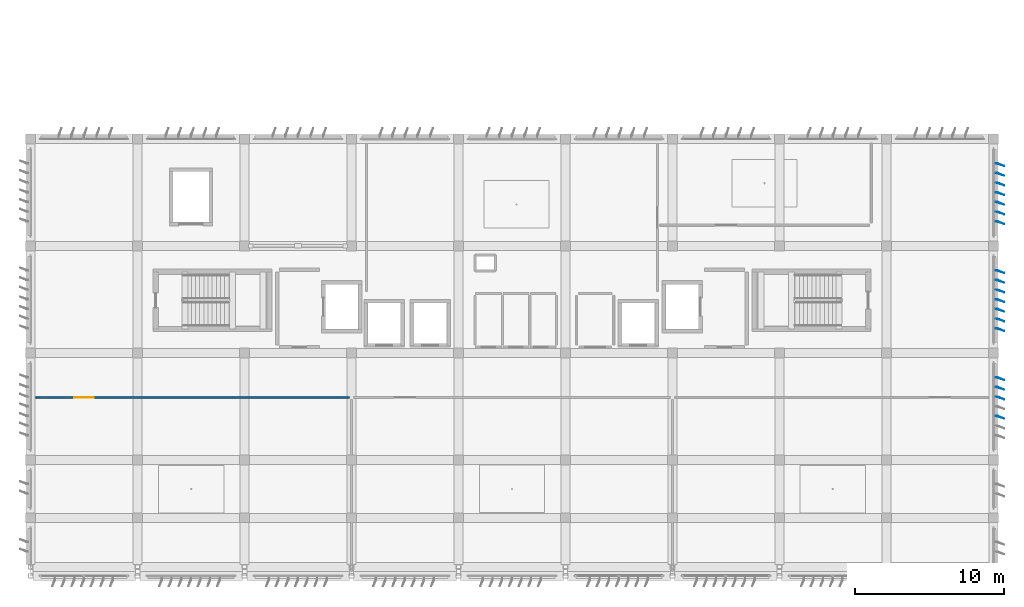
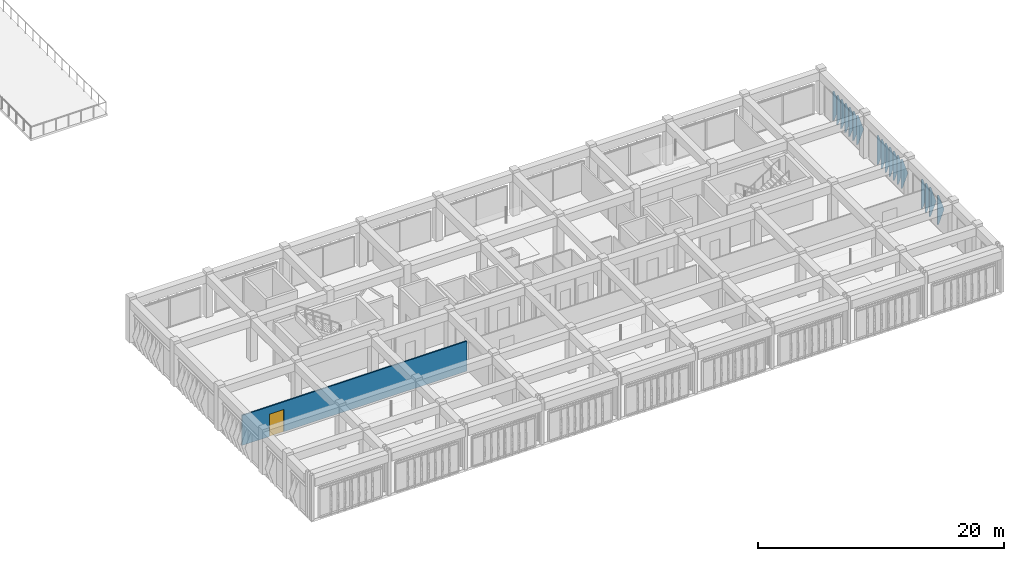
# One storey, part 34 of 56: 18 plates, 1 door, 1 wall, 1 opening.
"""IFC4 building model written with IfcOpenShell, lengths in metres."""

from ifc_helpers import new_model, si_unit, direction, frame, frame_2d, origin, place, context, subcontext, project, spatial, rectangle, extrude, polygons, material, layer, layer_set, type_object, element, fill, save


model = new_model("IFC4")

# Units and contexts
model_context = context("Model", 3, precision=1e-05, world=origin(), true_north=direction((0.0, 1.0)))
body_context = subcontext(model_context, "Body", "Model", "MODEL_VIEW")
ifc_project = project(units=[si_unit("LENGTHUNIT", "METRE"), si_unit("AREAUNIT", "SQUARE_METRE"), si_unit("VOLUMEUNIT", "CUBIC_METRE"), si_unit("PLANEANGLEUNIT", "RADIAN"), si_unit("MASSUNIT", "GRAM", prefix="KILO")], contexts=[model_context])

# Site, building, storey
site_placement = place(None, origin())
site = spatial("IfcSite", under=ifc_project, at=site_placement, CompositionType="ELEMENT")
building_placement = place(site_placement, origin())
building = spatial("IfcBuilding", under=site, at=building_placement, Name="Kazehaya Institute of Natural Sciences", CompositionType="ELEMENT")
storey_placement = place(building_placement, frame((0.0, 0.0, 28.800048828125)))
storey = spatial("IfcBuildingStorey", under=building, at=storey_placement, Name="L06", CompositionType="ELEMENT", Elevation=28.800048828125)

# Plates
ifc_material_1 = material(Name="Bronze-anodised aluminium alloy A6063S-T5", Category="aluminium")
ifc_layer_1 = layer(ifc_material_1, 0.02001953125, Name="Bronze-anodised aluminium alloy A6063S-T5", Category="aluminium")
ifc_layer_set_1 = layer_set([ifc_layer_1], Name="Bronze-anodised aluminium alloy A6063S-T5")
plate_type = type_object("IfcPlateType", Name="FIN-DF-E1", PredefinedType="USERDEFINED", material=ifc_layer_set_1)
plate_1_placement = place(storey_placement, origin())
element("IfcPlate", 1, at=plate_1_placement, inside=storey, type_object=plate_type, Name="L06 folded diamond-pyramid shading fin FIN-L06-E-0509", ObjectType="SHADING_FIN", PredefinedType="USERDEFINED", context=body_context, shape_type="Tessellation", body=[
    polygons([(119.554931640625, 19.56005859375, 0.0400390625), (119.699951171875, 19.56005859375, 0.0400390625), (120.110107421875, 19.38134765625, 1.5), (119.699951171875, 19.56005859375, 2.9599609375), (119.554931640625, 19.56005859375, 2.9599609375), (119.554931640625, 19.5400390625, 0.0400390625), (119.699951171875, 19.5400390625, 0.0400390625), (120.110107421875, 19.361328125, 1.5), (119.699951171875, 19.5400390625, 2.9599609375), (119.554931640625, 19.5400390625, 2.9599609375)], [[[1, 5, 4, 3, 2]], [[6, 7, 8, 9, 10]], [[1, 2, 7, 6]], [[2, 3, 8, 7]], [[3, 4, 9, 8]], [[4, 5, 10, 9]], [[5, 1, 6, 10]]], closed=True),
])
plate_2_placement = place(storey_placement, origin())
element("IfcPlate", 2, at=plate_2_placement, inside=storey, type_object=plate_type, Name="L06 folded diamond-pyramid shading fin FIN-L06-E-0510", ObjectType="SHADING_FIN", PredefinedType="USERDEFINED", context=body_context, shape_type="Tessellation", body=[
    polygons([(119.554931640625, 18.909912109375, 0.0400390625), (119.699951171875, 18.909912109375, 0.0400390625), (120.110107421875, 18.731201171875, 1.5), (119.699951171875, 18.909912109375, 2.9599609375), (119.554931640625, 18.909912109375, 2.9599609375), (119.554931640625, 18.889892578125, 0.0400390625), (119.699951171875, 18.889892578125, 0.0400390625), (120.110107421875, 18.711181640625, 1.5), (119.699951171875, 18.889892578125, 2.9599609375), (119.554931640625, 18.889892578125, 2.9599609375)], [[[1, 5, 4, 3, 2]], [[6, 7, 8, 9, 10]], [[1, 2, 7, 6]], [[2, 3, 8, 7]], [[3, 4, 9, 8]], [[4, 5, 10, 9]], [[5, 1, 6, 10]]], closed=True),
])
plate_3_placement = place(storey_placement, origin())
element("IfcPlate", 3, at=plate_3_placement, inside=storey, type_object=plate_type, Name="L06 folded diamond-pyramid shading fin FIN-L06-E-0511", ObjectType="SHADING_FIN", PredefinedType="USERDEFINED", context=body_context, shape_type="Tessellation", body=[
    polygons([(119.554931640625, 18.260009765625, 0.0400390625), (119.699951171875, 18.260009765625, 0.0400390625), (120.110107421875, 18.081298828125, 1.5), (119.699951171875, 18.260009765625, 2.9599609375), (119.554931640625, 18.260009765625, 2.9599609375), (119.554931640625, 18.239990234375, 0.0400390625), (119.699951171875, 18.239990234375, 0.0400390625), (120.110107421875, 18.061279296875, 1.5), (119.699951171875, 18.239990234375, 2.9599609375), (119.554931640625, 18.239990234375, 2.9599609375)], [[[1, 5, 4, 3, 2]], [[6, 7, 8, 9, 10]], [[1, 2, 7, 6]], [[2, 3, 8, 7]], [[3, 4, 9, 8]], [[4, 5, 10, 9]], [[5, 1, 6, 10]]], closed=True),
])
plate_4_placement = place(storey_placement, origin())
element("IfcPlate", 4, at=plate_4_placement, inside=storey, type_object=plate_type, Name="L06 folded diamond-pyramid shading fin FIN-L06-E-0513", ObjectType="SHADING_FIN", PredefinedType="USERDEFINED", context=body_context, shape_type="Tessellation", body=[
    polygons([(119.554931640625, 16.9599609375, 0.0400390625), (119.699951171875, 16.9599609375, 0.0400390625), (120.110107421875, 16.78125, 1.5), (119.699951171875, 16.9599609375, 2.9599609375), (119.554931640625, 16.9599609375, 2.9599609375), (119.554931640625, 16.93994140625, 0.0400390625), (119.699951171875, 16.93994140625, 0.0400390625), (120.110107421875, 16.76123046875, 1.5), (119.699951171875, 16.93994140625, 2.9599609375), (119.554931640625, 16.93994140625, 2.9599609375)], [[[1, 5, 4, 3, 2]], [[6, 7, 8, 9, 10]], [[1, 2, 7, 6]], [[2, 3, 8, 7]], [[3, 4, 9, 8]], [[4, 5, 10, 9]], [[5, 1, 6, 10]]], closed=True),
])
plate_5_placement = place(storey_placement, origin())
element("IfcPlate", 5, at=plate_5_placement, inside=storey, type_object=plate_type, Name="L06 folded diamond-pyramid shading fin FIN-L06-E-0523", ObjectType="SHADING_FIN", PredefinedType="USERDEFINED", context=body_context, shape_type="Tessellation", body=[
    polygons([(119.554931640625, 26.760009765625, 0.0400390625), (119.699951171875, 26.760009765625, 0.0400390625), (120.110107421875, 26.581298828125, 1.5), (119.699951171875, 26.760009765625, 2.9599609375), (119.554931640625, 26.760009765625, 2.9599609375), (119.554931640625, 26.739990234375, 0.0400390625), (119.699951171875, 26.739990234375, 0.0400390625), (120.110107421875, 26.561279296875, 1.5), (119.699951171875, 26.739990234375, 2.9599609375), (119.554931640625, 26.739990234375, 2.9599609375)], [[[1, 5, 4, 3, 2]], [[6, 7, 8, 9, 10]], [[1, 2, 7, 6]], [[2, 3, 8, 7]], [[3, 4, 9, 8]], [[4, 5, 10, 9]], [[5, 1, 6, 10]]], closed=True),
])
plate_6_placement = place(storey_placement, origin())
element("IfcPlate", 6, at=plate_6_placement, inside=storey, type_object=plate_type, Name="L06 folded diamond-pyramid shading fin FIN-L06-E-0524", ObjectType="SHADING_FIN", PredefinedType="USERDEFINED", context=body_context, shape_type="Tessellation", body=[
    polygons([(119.554931640625, 26.110107421875, 0.0400390625), (119.699951171875, 26.110107421875, 0.0400390625), (120.110107421875, 25.931396484375, 1.5), (119.699951171875, 26.110107421875, 2.9599609375), (119.554931640625, 26.110107421875, 2.9599609375), (119.554931640625, 26.090087890625, 0.0400390625), (119.699951171875, 26.090087890625, 0.0400390625), (120.110107421875, 25.911376953125, 1.5), (119.699951171875, 26.090087890625, 2.9599609375), (119.554931640625, 26.090087890625, 2.9599609375)], [[[1, 5, 4, 3, 2]], [[6, 7, 8, 9, 10]], [[1, 2, 7, 6]], [[2, 3, 8, 7]], [[3, 4, 9, 8]], [[4, 5, 10, 9]], [[5, 1, 6, 10]]], closed=True),
])
plate_7_placement = place(storey_placement, origin())
element("IfcPlate", 7, at=plate_7_placement, inside=storey, type_object=plate_type, Name="L06 folded diamond-pyramid shading fin FIN-L06-E-0525", ObjectType="SHADING_FIN", PredefinedType="USERDEFINED", context=body_context, shape_type="Tessellation", body=[
    polygons([(119.554931640625, 25.4599609375, 0.0400390625), (119.699951171875, 25.4599609375, 0.0400390625), (120.110107421875, 25.28125, 1.5), (119.699951171875, 25.4599609375, 2.9599609375), (119.554931640625, 25.4599609375, 2.9599609375), (119.554931640625, 25.43994140625, 0.0400390625), (119.699951171875, 25.43994140625, 0.0400390625), (120.110107421875, 25.26123046875, 1.5), (119.699951171875, 25.43994140625, 2.9599609375), (119.554931640625, 25.43994140625, 2.9599609375)], [[[1, 5, 4, 3, 2]], [[6, 7, 8, 9, 10]], [[1, 2, 7, 6]], [[2, 3, 8, 7]], [[3, 4, 9, 8]], [[4, 5, 10, 9]], [[5, 1, 6, 10]]], closed=True),
])
plate_8_placement = place(storey_placement, origin())
element("IfcPlate", 8, at=plate_8_placement, inside=storey, type_object=plate_type, Name="L06 folded diamond-pyramid shading fin FIN-L06-E-0526", ObjectType="SHADING_FIN", PredefinedType="USERDEFINED", context=body_context, shape_type="Tessellation", body=[
    polygons([(119.554931640625, 24.81005859375, 0.0400390625), (119.699951171875, 24.81005859375, 0.0400390625), (120.110107421875, 24.63134765625, 1.5), (119.699951171875, 24.81005859375, 2.9599609375), (119.554931640625, 24.81005859375, 2.9599609375), (119.554931640625, 24.7900390625, 0.0400390625), (119.699951171875, 24.7900390625, 0.0400390625), (120.110107421875, 24.611328125, 1.5), (119.699951171875, 24.7900390625, 2.9599609375), (119.554931640625, 24.7900390625, 2.9599609375)], [[[1, 5, 4, 3, 2]], [[6, 7, 8, 9, 10]], [[1, 2, 7, 6]], [[2, 3, 8, 7]], [[3, 4, 9, 8]], [[4, 5, 10, 9]], [[5, 1, 6, 10]]], closed=True),
])
plate_9_placement = place(storey_placement, origin())
element("IfcPlate", 9, at=plate_9_placement, inside=storey, type_object=plate_type, Name="L06 folded diamond-pyramid shading fin FIN-L06-E-0527", ObjectType="SHADING_FIN", PredefinedType="USERDEFINED", context=body_context, shape_type="Tessellation", body=[
    polygons([(119.554931640625, 24.159912109375, 0.0400390625), (119.699951171875, 24.159912109375, 0.0400390625), (120.110107421875, 23.981201171875, 1.5), (119.699951171875, 24.159912109375, 2.9599609375), (119.554931640625, 24.159912109375, 2.9599609375), (119.554931640625, 24.139892578125, 0.0400390625), (119.699951171875, 24.139892578125, 0.0400390625), (120.110107421875, 23.961181640625, 1.5), (119.699951171875, 24.139892578125, 2.9599609375), (119.554931640625, 24.139892578125, 2.9599609375)], [[[1, 5, 4, 3, 2]], [[6, 7, 8, 9, 10]], [[1, 2, 7, 6]], [[2, 3, 8, 7]], [[3, 4, 9, 8]], [[4, 5, 10, 9]], [[5, 1, 6, 10]]], closed=True),
])
plate_10_placement = place(storey_placement, origin())
element("IfcPlate", 10, at=plate_10_placement, inside=storey, type_object=plate_type, Name="L06 folded diamond-pyramid shading fin FIN-L06-E-0528", ObjectType="SHADING_FIN", PredefinedType="USERDEFINED", context=body_context, shape_type="Tessellation", body=[
    polygons([(119.554931640625, 23.510009765625, 0.0400390625), (119.699951171875, 23.510009765625, 0.0400390625), (120.110107421875, 23.331298828125, 1.5), (119.699951171875, 23.510009765625, 2.9599609375), (119.554931640625, 23.510009765625, 2.9599609375), (119.554931640625, 23.489990234375, 0.0400390625), (119.699951171875, 23.489990234375, 0.0400390625), (120.110107421875, 23.311279296875, 1.5), (119.699951171875, 23.489990234375, 2.9599609375), (119.554931640625, 23.489990234375, 2.9599609375)], [[[1, 5, 4, 3, 2]], [[6, 7, 8, 9, 10]], [[1, 2, 7, 6]], [[2, 3, 8, 7]], [[3, 4, 9, 8]], [[4, 5, 10, 9]], [[5, 1, 6, 10]]], closed=True),
])
plate_11_placement = place(storey_placement, origin())
element("IfcPlate", 11, at=plate_11_placement, inside=storey, type_object=plate_type, Name="L06 folded diamond-pyramid shading fin FIN-L06-E-0529", ObjectType="SHADING_FIN", PredefinedType="USERDEFINED", context=body_context, shape_type="Tessellation", body=[
    polygons([(119.554931640625, 22.860107421875, 0.0400390625), (119.699951171875, 22.860107421875, 0.0400390625), (120.110107421875, 22.681396484375, 1.5), (119.699951171875, 22.860107421875, 2.9599609375), (119.554931640625, 22.860107421875, 2.9599609375), (119.554931640625, 22.840087890625, 0.0400390625), (119.699951171875, 22.840087890625, 0.0400390625), (120.110107421875, 22.661376953125, 1.5), (119.699951171875, 22.840087890625, 2.9599609375), (119.554931640625, 22.840087890625, 2.9599609375)], [[[1, 5, 4, 3, 2]], [[6, 7, 8, 9, 10]], [[1, 2, 7, 6]], [[2, 3, 8, 7]], [[3, 4, 9, 8]], [[4, 5, 10, 9]], [[5, 1, 6, 10]]], closed=True),
])
plate_12_placement = place(storey_placement, origin())
element("IfcPlate", 12, at=plate_12_placement, inside=storey, type_object=plate_type, Name="L06 folded diamond-pyramid shading fin FIN-L06-E-0537", ObjectType="SHADING_FIN", PredefinedType="USERDEFINED", context=body_context, shape_type="Tessellation", body=[
    polygons([(119.554931640625, 33.9599609375, 0.0400390625), (119.699951171875, 33.9599609375, 0.0400390625), (120.110107421875, 33.78125, 1.5), (119.699951171875, 33.9599609375, 2.9599609375), (119.554931640625, 33.9599609375, 2.9599609375), (119.554931640625, 33.93994140625, 0.0400390625), (119.699951171875, 33.93994140625, 0.0400390625), (120.110107421875, 33.76123046875, 1.5), (119.699951171875, 33.93994140625, 2.9599609375), (119.554931640625, 33.93994140625, 2.9599609375)], [[[1, 5, 4, 3, 2]], [[6, 7, 8, 9, 10]], [[1, 2, 7, 6]], [[2, 3, 8, 7]], [[3, 4, 9, 8]], [[4, 5, 10, 9]], [[5, 1, 6, 10]]], closed=True),
])
plate_13_placement = place(storey_placement, origin())
element("IfcPlate", 13, at=plate_13_placement, inside=storey, type_object=plate_type, Name="L06 folded diamond-pyramid shading fin FIN-L06-E-0538", ObjectType="SHADING_FIN", PredefinedType="USERDEFINED", context=body_context, shape_type="Tessellation", body=[
    polygons([(119.554931640625, 33.31005859375, 0.0400390625), (119.699951171875, 33.31005859375, 0.0400390625), (120.110107421875, 33.13134765625, 1.5), (119.699951171875, 33.31005859375, 2.9599609375), (119.554931640625, 33.31005859375, 2.9599609375), (119.554931640625, 33.2900390625, 0.0400390625), (119.699951171875, 33.2900390625, 0.0400390625), (120.110107421875, 33.111328125, 1.5), (119.699951171875, 33.2900390625, 2.9599609375), (119.554931640625, 33.2900390625, 2.9599609375)], [[[1, 5, 4, 3, 2]], [[6, 7, 8, 9, 10]], [[1, 2, 7, 6]], [[2, 3, 8, 7]], [[3, 4, 9, 8]], [[4, 5, 10, 9]], [[5, 1, 6, 10]]], closed=True),
])
plate_14_placement = place(storey_placement, origin())
element("IfcPlate", 14, at=plate_14_placement, inside=storey, type_object=plate_type, Name="L06 folded diamond-pyramid shading fin FIN-L06-E-0539", ObjectType="SHADING_FIN", PredefinedType="USERDEFINED", context=body_context, shape_type="Tessellation", body=[
    polygons([(119.554931640625, 32.659912109375, 0.0400390625), (119.699951171875, 32.659912109375, 0.0400390625), (120.110107421875, 32.481201171875, 1.5), (119.699951171875, 32.659912109375, 2.9599609375), (119.554931640625, 32.659912109375, 2.9599609375), (119.554931640625, 32.639892578125, 0.0400390625), (119.699951171875, 32.639892578125, 0.0400390625), (120.110107421875, 32.461181640625, 1.5), (119.699951171875, 32.639892578125, 2.9599609375), (119.554931640625, 32.639892578125, 2.9599609375)], [[[1, 5, 4, 3, 2]], [[6, 7, 8, 9, 10]], [[1, 2, 7, 6]], [[2, 3, 8, 7]], [[3, 4, 9, 8]], [[4, 5, 10, 9]], [[5, 1, 6, 10]]], closed=True),
])
plate_15_placement = place(storey_placement, origin())
element("IfcPlate", 15, at=plate_15_placement, inside=storey, type_object=plate_type, Name="L06 folded diamond-pyramid shading fin FIN-L06-E-0540", ObjectType="SHADING_FIN", PredefinedType="USERDEFINED", context=body_context, shape_type="Tessellation", body=[
    polygons([(119.554931640625, 32.010009765625, 0.0400390625), (119.699951171875, 32.010009765625, 0.0400390625), (120.110107421875, 31.831298828125, 1.5), (119.699951171875, 32.010009765625, 2.9599609375), (119.554931640625, 32.010009765625, 2.9599609375), (119.554931640625, 31.989990234375, 0.0400390625), (119.699951171875, 31.989990234375, 0.0400390625), (120.110107421875, 31.811279296875, 1.5), (119.699951171875, 31.989990234375, 2.9599609375), (119.554931640625, 31.989990234375, 2.9599609375)], [[[1, 5, 4, 3, 2]], [[6, 7, 8, 9, 10]], [[1, 2, 7, 6]], [[2, 3, 8, 7]], [[3, 4, 9, 8]], [[4, 5, 10, 9]], [[5, 1, 6, 10]]], closed=True),
])
plate_16_placement = place(storey_placement, origin())
element("IfcPlate", 16, at=plate_16_placement, inside=storey, type_object=plate_type, Name="L06 folded diamond-pyramid shading fin FIN-L06-E-0541", ObjectType="SHADING_FIN", PredefinedType="USERDEFINED", context=body_context, shape_type="Tessellation", body=[
    polygons([(119.554931640625, 31.360107421875, 0.0400390625), (119.699951171875, 31.360107421875, 0.0400390625), (120.110107421875, 31.181396484375, 1.5), (119.699951171875, 31.360107421875, 2.9599609375), (119.554931640625, 31.360107421875, 2.9599609375), (119.554931640625, 31.340087890625, 0.0400390625), (119.699951171875, 31.340087890625, 0.0400390625), (120.110107421875, 31.161376953125, 1.5), (119.699951171875, 31.340087890625, 2.9599609375), (119.554931640625, 31.340087890625, 2.9599609375)], [[[1, 5, 4, 3, 2]], [[6, 7, 8, 9, 10]], [[1, 2, 7, 6]], [[2, 3, 8, 7]], [[3, 4, 9, 8]], [[4, 5, 10, 9]], [[5, 1, 6, 10]]], closed=True),
])
plate_17_placement = place(storey_placement, origin())
element("IfcPlate", 17, at=plate_17_placement, inside=storey, type_object=plate_type, Name="L06 folded diamond-pyramid shading fin FIN-L06-E-0542", ObjectType="SHADING_FIN", PredefinedType="USERDEFINED", context=body_context, shape_type="Tessellation", body=[
    polygons([(119.554931640625, 30.7099609375, 0.0400390625), (119.699951171875, 30.7099609375, 0.0400390625), (120.110107421875, 30.53125, 1.5), (119.699951171875, 30.7099609375, 2.9599609375), (119.554931640625, 30.7099609375, 2.9599609375), (119.554931640625, 30.68994140625, 0.0400390625), (119.699951171875, 30.68994140625, 0.0400390625), (120.110107421875, 30.51123046875, 1.5), (119.699951171875, 30.68994140625, 2.9599609375), (119.554931640625, 30.68994140625, 2.9599609375)], [[[1, 5, 4, 3, 2]], [[6, 7, 8, 9, 10]], [[1, 2, 7, 6]], [[2, 3, 8, 7]], [[3, 4, 9, 8]], [[4, 5, 10, 9]], [[5, 1, 6, 10]]], closed=True),
])
plate_18_placement = place(storey_placement, origin())
element("IfcPlate", 18, at=plate_18_placement, inside=storey, type_object=plate_type, Name="L06 folded diamond-pyramid shading fin FIN-L06-E-0543", ObjectType="SHADING_FIN", PredefinedType="USERDEFINED", context=body_context, shape_type="Tessellation", body=[
    polygons([(119.554931640625, 30.06005859375, 0.0400390625), (119.699951171875, 30.06005859375, 0.0400390625), (120.110107421875, 29.88134765625, 1.5), (119.699951171875, 30.06005859375, 2.9599609375), (119.554931640625, 30.06005859375, 2.9599609375), (119.554931640625, 30.0400390625, 0.0400390625), (119.699951171875, 30.0400390625, 0.0400390625), (120.110107421875, 29.861328125, 1.5), (119.699951171875, 30.0400390625, 2.9599609375), (119.554931640625, 30.0400390625, 2.9599609375)], [[[1, 5, 4, 3, 2]], [[6, 7, 8, 9, 10]], [[1, 2, 7, 6]], [[2, 3, 8, 7]], [[3, 4, 9, 8]], [[4, 5, 10, 9]], [[5, 1, 6, 10]]], closed=True),
])

# Wall, opening, door
ifc_material_2 = material(Name="Gypsum write-up office partition", Category="gypsum")
ifc_layer_2 = layer(ifc_material_2, 0.1201171875, Name="Gypsum write-up office partition", Category="gypsum")
ifc_layer_set_2 = layer_set([ifc_layer_2], Name="Gypsum write-up office partition")
wall_type = type_object("IfcWallType", Name="WL-PART-120", PredefinedType="PARTITIONING", material=ifc_layer_set_2)
wall_placement = place(storey_placement, frame((54.949951171875, 18.199951171875, 0.0), z_axis=(0.0, 0.0, 1.0), x_axis=(1.0, 0.0, 0.0)))
wall = element("IfcWall", 19, at=wall_placement, inside=storey, type_object=wall_type, Name="L06 Catalysis Synthesis Laboratory partition IW-L06-0310", PredefinedType="PARTITIONING", context=body_context, shape_type="SweptSolid", body=[
    extrude(rectangle(XDim=21.10009765625, YDim=0.1201171875, at=frame_2d((10.550048828125, 0.0))), origin(), (0.0, 0.0, 1.0), 2.97998046875),
])
opening_placement = place(wall_placement, frame((2.590087890625, 0.0, 0.0)))
opening = element("IfcOpeningElement", 20, at=opening_placement, cuts=wall, Name="Opening D-L06-0176", PredefinedType="OPENING", context=body_context, shape_type="SweptSolid", body=[
    extrude(rectangle(XDim=1.320068359375, YDim=2.219970703125, at=frame_2d((0.66015625, 1.10986328125))), frame((0.0, 0.070068359375, 0.0), z_axis=(0.0, -1.0, 0.0), x_axis=(1.0, 0.0, 0.0)), (0.0, 0.0, 1.0), 0.14013671875),
])
ifc_material_3 = material(Name="Flush timber and aluminium laboratory door", Category="wood")
door_type = type_object("IfcDoorType", Name="DT-INT-48", OperationType="NOTDEFINED", PredefinedType="DOOR", material=ifc_material_3)
door_placement = place(opening_placement, origin())
door = element("IfcDoor", 21, at=door_placement, inside=storey, type_object=door_type, Name="L06 Catalysis Synthesis Laboratory door D-L06-0176", OperationType="SINGLE_SWING_RIGHT", OverallHeight=2.219970703125, OverallWidth=1.320068359375, PredefinedType="DOOR", context=body_context, shape_type="SweptSolid", body=[
    extrude(rectangle(XDim=1.320068359375, YDim=2.219970703125, at=frame_2d((0.66015625, 1.10986328125))), frame((0.0, 0.02490234375, 0.0), z_axis=(0.0, -1.0, 0.0), x_axis=(1.0, 0.0, 0.0)), (0.0, 0.0, 1.0), 0.050048828125),
])
fill(opening, door)

save(model, "model.ifc")
